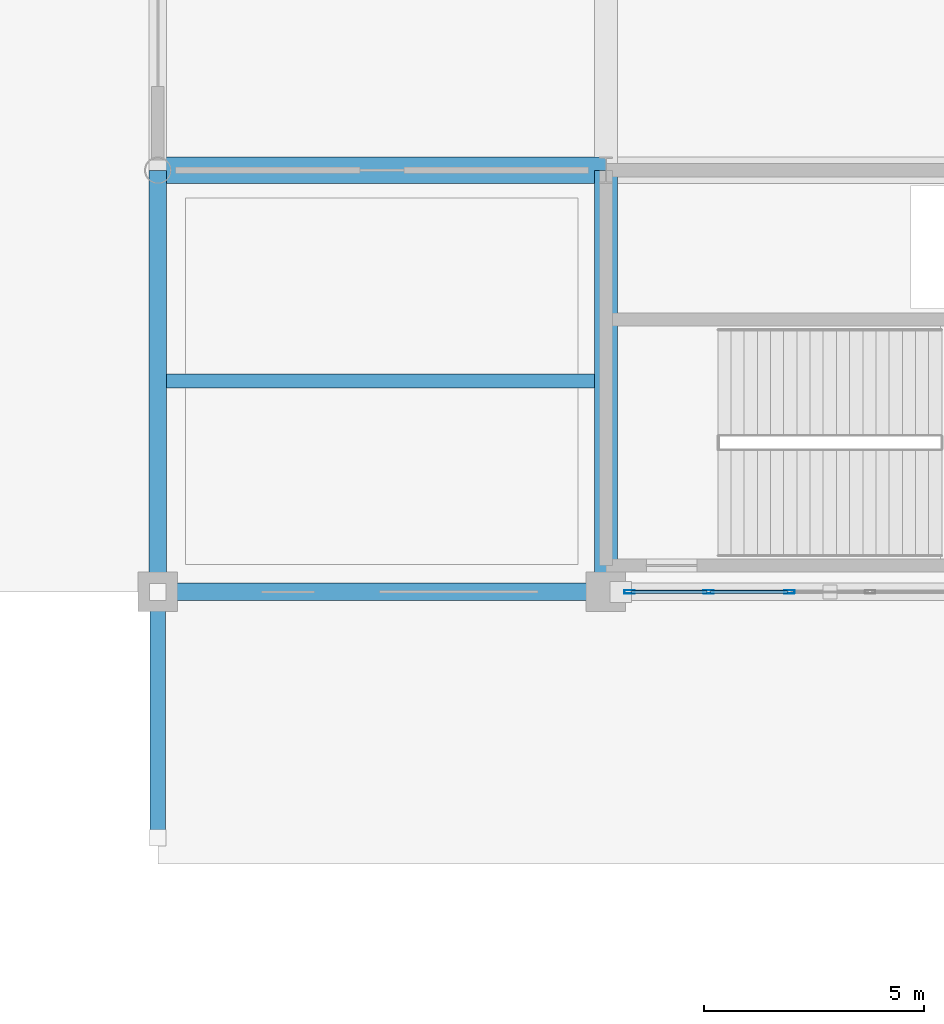
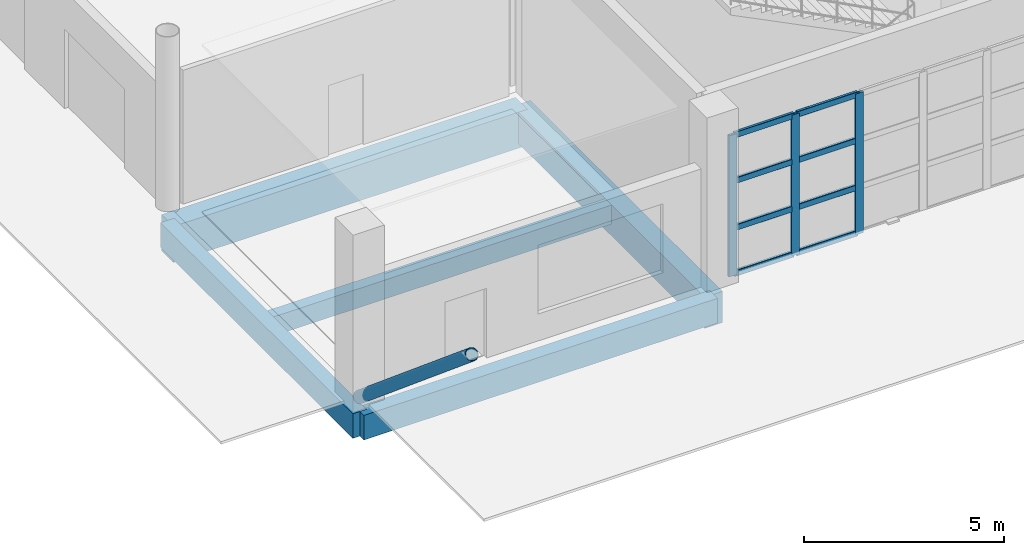
# One storey, part 23 of 124: 12 members, 5 beams, 1 element without a shape of its own.
"""IFC4 building model written with IfcOpenShell, lengths in metres."""

from ifc_helpers import new_model, si_unit, direction, frame, origin, origin_2d, place, context, subcontext, project, spatial, rectangle, hollow_rectangle, hollow_circle, extrude, material, material_profile, profile_set, type_object, element, aggregate, save


model = new_model("IFC4")

# Units and contexts
model_context = context("Model", 3, precision=1e-05, world=origin(), true_north=direction((0.0, 1.0)))
body_context = subcontext(model_context, "Body", "Model", "MODEL_VIEW")
ifc_project = project(units=[si_unit("LENGTHUNIT", "METRE"), si_unit("AREAUNIT", "SQUARE_METRE"), si_unit("VOLUMEUNIT", "CUBIC_METRE"), si_unit("PLANEANGLEUNIT", "RADIAN"), si_unit("MASSUNIT", "GRAM", prefix="KILO")], contexts=[model_context])

# Site, building, storey
site_placement = place(None, origin())
site = spatial("IfcSite", under=ifc_project, at=site_placement, CompositionType="ELEMENT")
building_placement = place(site_placement, origin())
building = spatial("IfcBuilding", under=site, at=building_placement, Name="Brelvane Convention Centre", CompositionType="ELEMENT")
storey_placement = place(building_placement, origin())
storey = spatial("IfcBuildingStorey", under=building, at=storey_placement, Name="L00", CompositionType="ELEMENT", Elevation=0.0)

# Curtain wall, members
ifc_material_1 = material(Name="Anodised Aluminium Alloy 6063-T6", Category="aluminium")
curtain_wall_type = type_object("IfcCurtainWallType", Name="Curtain Wall CW-CONC", PredefinedType="USERDEFINED", material=ifc_material_1)
curtain_wall_placement = place(storey_placement, origin())
curtain_wall = element("IfcCurtainWall", 1, at=curtain_wall_placement, inside=storey, type_object=curtain_wall_type, Name="Curtain Wall CW-CONC L00-V1S-02", ObjectType="UNITISED", PredefinedType="USERDEFINED")
ifc_material_2 = material(Name="Anodised Aluminium Alloy 6063-T6", Category="aluminium")
ifc_material_profile_1 = material_profile(ifc_material_2, hollow_rectangle(XDim=0.080078125, YDim=0.239990234375, WallThickness=0.006103515625, InnerFilletRadius=0.006103515625, OuterFilletRadius=0.011962890625, at=origin_2d()), Name="ALU-M 240x80x6.0")
ifc_profile_set_1 = profile_set([ifc_material_profile_1], Name="Anodised Aluminium Alloy 6063-T6")
member_type_1 = type_object("IfcMemberType", Name="Curtain Mullion CW-M1", PredefinedType="MULLION", material=ifc_profile_set_1)
member_1_placement = place(storey_placement, frame((10.739990234375, 19.199951171875, 0.0), z_axis=(0.0, 0.0, 1.0), x_axis=(0.0, 1.0, 0.0)))
member_1 = element("IfcMember", 2, at=member_1_placement, type_object=member_type_1, Name="CW-CONC mullion 1", PredefinedType="MULLION", context=body_context, shape_type="SweptSolid", body=[
    extrude(hollow_rectangle(XDim=0.080078125, YDim=0.239990234375, WallThickness=0.006103515625, InnerFilletRadius=0.006103515625, OuterFilletRadius=0.011962890625, at=origin_2d()), origin(), (0.0, 0.0, 1.0), 4.300048828125),
])
member_2_placement = place(storey_placement, frame((12.5400390625, 19.199951171875, 0.0), z_axis=(0.0, 0.0, 1.0), x_axis=(0.0, 1.0, 0.0)))
member_2 = element("IfcMember", 3, at=member_2_placement, type_object=member_type_1, Name="CW-CONC mullion 2", PredefinedType="MULLION", context=body_context, shape_type="SweptSolid", body=[
    extrude(hollow_rectangle(XDim=0.080078125, YDim=0.239990234375, WallThickness=0.006103515625, InnerFilletRadius=0.006103515625, OuterFilletRadius=0.011962890625, at=origin_2d()), origin(), (0.0, 0.0, 1.0), 4.300048828125),
])
member_3_placement = place(storey_placement, frame((14.3798828125, 19.199951171875, 0.0), z_axis=(0.0, 0.0, 1.0), x_axis=(0.0, 1.0, 0.0)))
member_3 = element("IfcMember", 4, at=member_3_placement, type_object=member_type_1, Name="CW-CONC mullion 3", PredefinedType="MULLION", context=body_context, shape_type="SweptSolid", body=[
    extrude(hollow_rectangle(XDim=0.080078125, YDim=0.239990234375, WallThickness=0.006103515625, InnerFilletRadius=0.006103515625, OuterFilletRadius=0.011962890625, at=origin_2d()), origin(), (0.0, 0.0, 1.0), 4.300048828125),
])
ifc_material_3 = material(Name="Anodised Aluminium Alloy 6063-T6", Category="aluminium")
ifc_material_profile_2 = material_profile(ifc_material_3, hollow_rectangle(XDim=0.080078125, YDim=0.179931640625, WallThickness=0.0048828125, InnerFilletRadius=0.0048828125, OuterFilletRadius=0.010009765625, at=origin_2d()), Name="ALU-T 180x80x5.0")
ifc_profile_set_2 = profile_set([ifc_material_profile_2], Name="Anodised Aluminium Alloy 6063-T6")
member_type_2 = type_object("IfcMemberType", Name="Curtain Transom CW-T1", PredefinedType="USERDEFINED", material=ifc_profile_set_2)
member_4_placement = place(storey_placement, frame((10.780029296875, 19.199951171875, 0.0400390625), z_axis=(1.0, 0.0, 0.0), x_axis=(0.0, 1.0, 0.0)))
member_4 = element("IfcMember", 5, at=member_4_placement, type_object=member_type_2, Name="CW-CONC transom 1.1", ObjectType="TRANSOM", PredefinedType="USERDEFINED", context=body_context, shape_type="SweptSolid", body=[
    extrude(hollow_rectangle(XDim=0.080078125, YDim=0.179931640625, WallThickness=0.0048828125, InnerFilletRadius=0.0048828125, OuterFilletRadius=0.010009765625, at=origin_2d()), origin(), (0.0, 0.0, 1.0), 1.719970703125),
])
member_5_placement = place(storey_placement, frame((10.780029296875, 19.199951171875, 1.433349609375), z_axis=(1.0, 0.0, 0.0), x_axis=(0.0, 1.0, 0.0)))
member_5 = element("IfcMember", 6, at=member_5_placement, type_object=member_type_2, Name="CW-CONC transom 1.2", ObjectType="TRANSOM", PredefinedType="USERDEFINED", context=body_context, shape_type="SweptSolid", body=[
    extrude(hollow_rectangle(XDim=0.080078125, YDim=0.179931640625, WallThickness=0.0048828125, InnerFilletRadius=0.0048828125, OuterFilletRadius=0.010009765625, at=origin_2d()), origin(), (0.0, 0.0, 1.0), 1.719970703125),
])
member_6_placement = place(storey_placement, frame((10.780029296875, 19.199951171875, 2.86669921875), z_axis=(1.0, 0.0, 0.0), x_axis=(0.0, 1.0, 0.0)))
member_6 = element("IfcMember", 7, at=member_6_placement, type_object=member_type_2, Name="CW-CONC transom 1.3", ObjectType="TRANSOM", PredefinedType="USERDEFINED", context=body_context, shape_type="SweptSolid", body=[
    extrude(hollow_rectangle(XDim=0.080078125, YDim=0.179931640625, WallThickness=0.0048828125, InnerFilletRadius=0.0048828125, OuterFilletRadius=0.010009765625, at=origin_2d()), origin(), (0.0, 0.0, 1.0), 1.719970703125),
])
member_7_placement = place(storey_placement, frame((10.780029296875, 19.199951171875, 4.260009765625), z_axis=(1.0, 0.0, 0.0), x_axis=(0.0, 1.0, 0.0)))
member_7 = element("IfcMember", 8, at=member_7_placement, type_object=member_type_2, Name="CW-CONC transom 1.4", ObjectType="TRANSOM", PredefinedType="USERDEFINED", context=body_context, shape_type="SweptSolid", body=[
    extrude(hollow_rectangle(XDim=0.080078125, YDim=0.179931640625, WallThickness=0.0048828125, InnerFilletRadius=0.0048828125, OuterFilletRadius=0.010009765625, at=origin_2d()), origin(), (0.0, 0.0, 1.0), 1.719970703125),
])
member_8_placement = place(storey_placement, frame((12.580078125, 19.199951171875, 0.0400390625), z_axis=(1.0, 0.0, 0.0), x_axis=(0.0, 1.0, 0.0)))
member_8 = element("IfcMember", 9, at=member_8_placement, type_object=member_type_2, Name="CW-CONC transom 2.1", ObjectType="TRANSOM", PredefinedType="USERDEFINED", context=body_context, shape_type="SweptSolid", body=[
    extrude(hollow_rectangle(XDim=0.080078125, YDim=0.179931640625, WallThickness=0.0048828125, InnerFilletRadius=0.0048828125, OuterFilletRadius=0.010009765625, at=origin_2d()), origin(), (0.0, 0.0, 1.0), 1.760009765625),
])
member_9_placement = place(storey_placement, frame((12.580078125, 19.199951171875, 1.433349609375), z_axis=(1.0, 0.0, 0.0), x_axis=(0.0, 1.0, 0.0)))
member_9 = element("IfcMember", 10, at=member_9_placement, type_object=member_type_2, Name="CW-CONC transom 2.2", ObjectType="TRANSOM", PredefinedType="USERDEFINED", context=body_context, shape_type="SweptSolid", body=[
    extrude(hollow_rectangle(XDim=0.080078125, YDim=0.179931640625, WallThickness=0.0048828125, InnerFilletRadius=0.0048828125, OuterFilletRadius=0.010009765625, at=origin_2d()), origin(), (0.0, 0.0, 1.0), 1.760009765625),
])
member_10_placement = place(storey_placement, frame((12.580078125, 19.199951171875, 2.86669921875), z_axis=(1.0, 0.0, 0.0), x_axis=(0.0, 1.0, 0.0)))
member_10 = element("IfcMember", 11, at=member_10_placement, type_object=member_type_2, Name="CW-CONC transom 2.3", ObjectType="TRANSOM", PredefinedType="USERDEFINED", context=body_context, shape_type="SweptSolid", body=[
    extrude(hollow_rectangle(XDim=0.080078125, YDim=0.179931640625, WallThickness=0.0048828125, InnerFilletRadius=0.0048828125, OuterFilletRadius=0.010009765625, at=origin_2d()), origin(), (0.0, 0.0, 1.0), 1.760009765625),
])
member_11_placement = place(storey_placement, frame((12.580078125, 19.199951171875, 4.260009765625), z_axis=(1.0, 0.0, 0.0), x_axis=(0.0, 1.0, 0.0)))
member_11 = element("IfcMember", 12, at=member_11_placement, type_object=member_type_2, Name="CW-CONC transom 2.4", ObjectType="TRANSOM", PredefinedType="USERDEFINED", context=body_context, shape_type="SweptSolid", body=[
    extrude(hollow_rectangle(XDim=0.080078125, YDim=0.179931640625, WallThickness=0.0048828125, InnerFilletRadius=0.0048828125, OuterFilletRadius=0.010009765625, at=origin_2d()), origin(), (0.0, 0.0, 1.0), 1.760009765625),
])
aggregate(curtain_wall, [member_1, member_2, member_3, member_4, member_5, member_6, member_7, member_8, member_9, member_10, member_11])

# Beams
ifc_material_4 = material(Name="Concrete M50", Category="concrete")
ifc_material_profile_3 = material_profile(ifc_material_4, rectangle(XDim=0.60009765625, YDim=1.10009765625, at=origin_2d()), Name="RC 600x1100")
ifc_profile_set_3 = profile_set([ifc_material_profile_3], Name="Concrete M50")
beam_type_1 = type_object("IfcBeamType", Name="RC Beam B-RC2 (RC 600x1100)", PredefinedType="BEAM", material=ifc_profile_set_3)
beam_1_placement = place(storey_placement, frame((0.0, 28.800048828125, -0.949951171875), z_axis=(1.0, 0.0, 0.0), x_axis=(0.0, 1.0, 0.0)))
element("IfcBeam", 13, at=beam_1_placement, inside=storey, type_object=beam_type_1, Name="L00 Beam 1-2/D", PredefinedType="BEAM", context=body_context, shape_type="SweptSolid", body=[
    extrude(rectangle(XDim=0.60009765625, YDim=1.10009765625, at=origin_2d()), origin(), (0.0, 0.0, 1.0), 10.199951171875),
])
ifc_material_5 = material(Name="Concrete M50", Category="concrete")
ifc_material_profile_4 = material_profile(ifc_material_5, rectangle(XDim=0.52001953125, YDim=0.949951171875, at=origin_2d()), Name="RC 520x950")
ifc_profile_set_4 = profile_set([ifc_material_profile_4], Name="Concrete M50")
beam_type_2 = type_object("IfcBeamType", Name="RC Beam B-RC9 (RC 520x950)", PredefinedType="BEAM", material=ifc_profile_set_4)
beam_2_placement = place(storey_placement, frame((10.199951171875, 19.199951171875, -0.875), z_axis=(0.0, 1.0, 0.0), x_axis=(-1.0, 0.0, 0.0)))
element("IfcBeam", 14, at=beam_2_placement, inside=storey, type_object=beam_type_2, Name="L00 Girder 2/C-D", PredefinedType="BEAM", context=body_context, shape_type="SweptSolid", body=[
    extrude(rectangle(XDim=0.52001953125, YDim=0.949951171875, at=origin_2d()), origin(), (0.0, 0.0, 1.0), 9.60009765625),
])
ifc_material_6 = material(Name="Concrete M40", Category="concrete")
ifc_material_profile_5 = material_profile(ifc_material_6, rectangle(XDim=0.320068359375, YDim=0.580078125, at=origin_2d()), Name="RC 320x580")
ifc_profile_set_5 = profile_set([ifc_material_profile_5], Name="Concrete M40")
beam_type_3 = type_object("IfcBeamType", Name="RC Joist J-RC3 (RC 320x580)", PredefinedType="JOIST", material=ifc_profile_set_5)
beam_3_placement = place(storey_placement, frame((0.199951171875, 24.0, -0.68994140625), z_axis=(1.0, 0.0, 0.0), x_axis=(0.0, 1.0, 0.0)))
element("IfcBeam", 15, at=beam_3_placement, inside=storey, type_object=beam_type_3, Name="L00 Secondary Joist 1-2/CD", PredefinedType="JOIST", context=body_context, shape_type="SweptSolid", body=[
    extrude(rectangle(XDim=0.320068359375, YDim=0.580078125, at=origin_2d()), origin(), (0.0, 0.0, 1.0), 9.739990234375),
])
ifc_material_7 = material(Name="Concrete M40", Category="concrete")
ifc_material_profile_6 = material_profile(ifc_material_7, rectangle(XDim=0.39990234375, YDim=0.75, at=origin_2d()), Name="RC 400x750")
ifc_profile_set_6 = profile_set([ifc_material_profile_6], Name="Concrete M40")
beam_type_4 = type_object("IfcBeamType", Name="RC Spandrel SP-RC1 (RC 400x750)", PredefinedType="SPANDREL", material=ifc_profile_set_6)
beam_4_placement = place(storey_placement, frame((0.0, 19.199951171875, -0.77490234375), z_axis=(1.0, 0.0, 0.0), x_axis=(0.0, 1.0, 0.0)))
element("IfcBeam", 16, at=beam_4_placement, inside=storey, type_object=beam_type_4, Name="L00 Beam 1-2/C", PredefinedType="SPANDREL", context=body_context, shape_type="SweptSolid", body=[
    extrude(rectangle(XDim=0.39990234375, YDim=0.75, at=origin_2d()), origin(), (0.0, 0.0, 1.0), 10.199951171875),
])
beam_5_placement = place(storey_placement, frame((0.0, 19.199951171875, -0.77490234375), z_axis=(0.0, 1.0, 0.0), x_axis=(-1.0, 0.0, 0.0)))
element("IfcBeam", 17, at=beam_5_placement, inside=storey, type_object=beam_type_4, Name="L00 Girder 1/C-D", PredefinedType="SPANDREL", context=body_context, shape_type="SweptSolid", body=[
    extrude(rectangle(XDim=0.39990234375, YDim=0.75, at=origin_2d()), origin(), (0.0, 0.0, 1.0), 9.60009765625),
])

# Member
ifc_material_8 = material(Name="Steel E450 (450 MPa)", Category="steel")
ifc_material_profile_7 = material_profile(ifc_material_8, hollow_circle(Radius=0.177734375, WallThickness=0.01611328125, at=origin_2d()), Name="CHS 355.6x16.0")
ifc_profile_set_7 = profile_set([ifc_material_profile_7], Name="Steel E450 (450 MPa)")
member_type_3 = type_object("IfcMemberType", Name="Steel Strut HS-ST1 (CHS 355.6x16.0)", PredefinedType="STRUT", material=ifc_profile_set_7)
member_12_placement = place(storey_placement, frame((0.0, 19.199951171875, 0.050048828125), z_axis=(0.0, -0.766643647724, 0.642072828739), x_axis=(1.0, 0.0, 0.0)))
element("IfcMember", 18, at=member_12_placement, inside=storey, type_object=member_type_3, Name="Hull Overhang Raked Strut L00 V1-1", PredefinedType="STRUT", context=body_context, shape_type="SweptSolid", body=[
    extrude(hollow_circle(Radius=0.177734375, WallThickness=0.01611328125, at=origin_2d()), origin(), (0.0, 0.0, 1.0), 7.304443359375),
])

save(model, "model.ifc")
